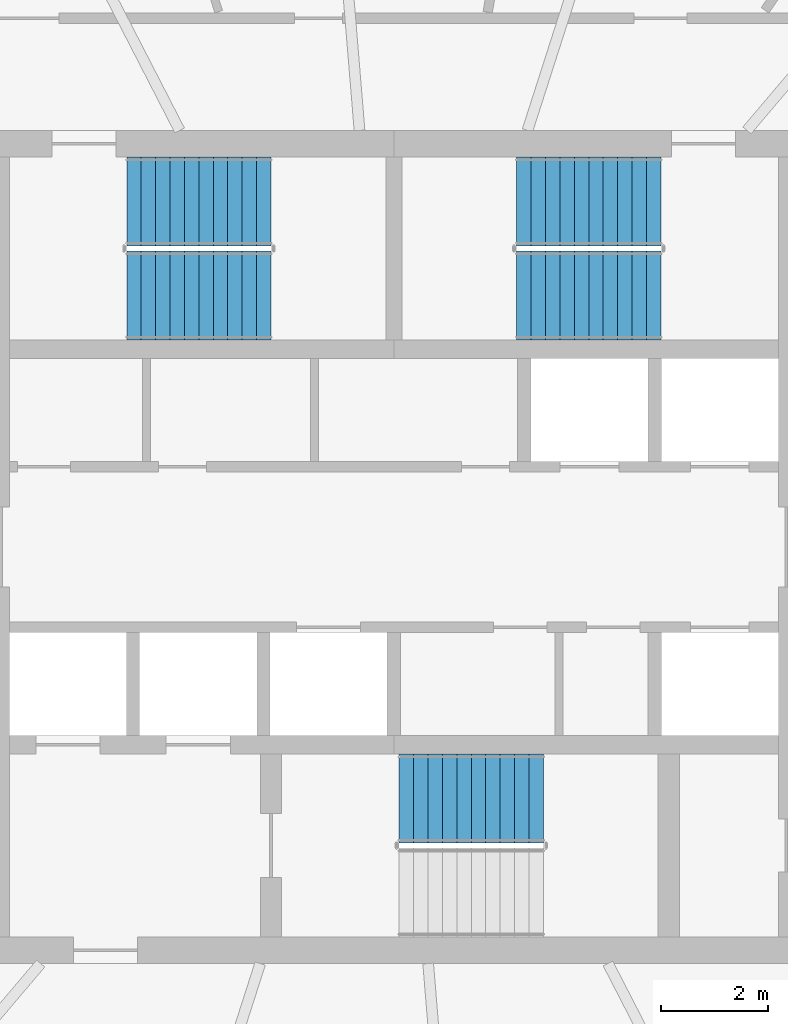
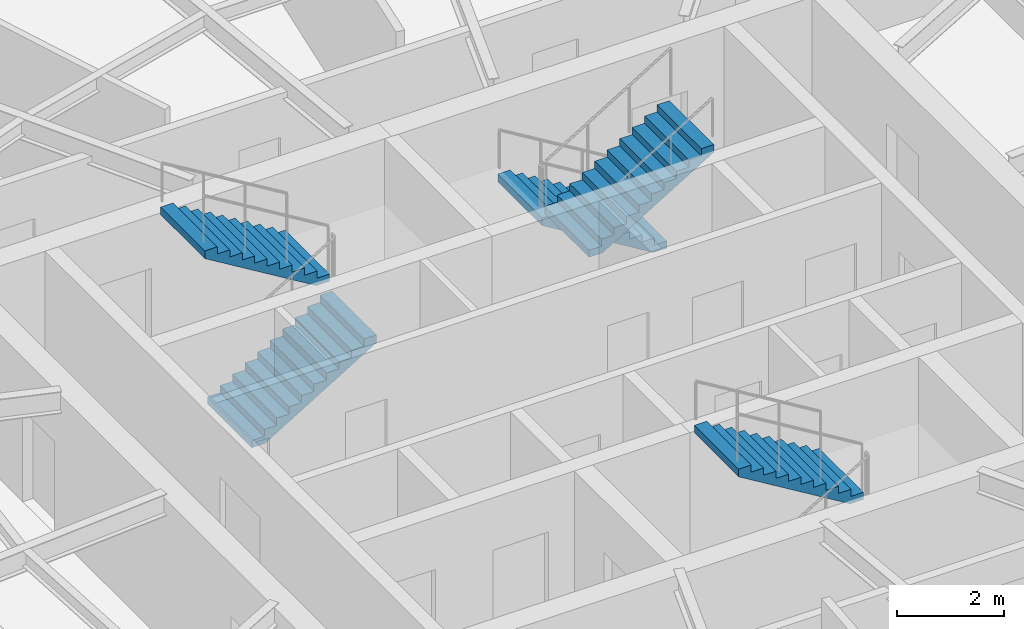
# One storey, part 10 of 13: 5 stair flights, 3 elements without a shape of their own.
"""IFC4 building model written with IfcOpenShell, lengths in metres."""

from ifc_helpers import new_model, si_unit, direction, frame, origin, place, context, subcontext, project, spatial, polyline, outline, extrude, material, type_object, element, aggregate, save


model = new_model("IFC4")

# Units and contexts
model_context = context("Model", 3, precision=1e-05, world=origin(), true_north=direction((0.0, 1.0)))
body_context = subcontext(model_context, "Body", "Model", "MODEL_VIEW")
ifc_project = project(units=[si_unit("LENGTHUNIT", "METRE"), si_unit("AREAUNIT", "SQUARE_METRE"), si_unit("VOLUMEUNIT", "CUBIC_METRE"), si_unit("PLANEANGLEUNIT", "RADIAN"), si_unit("MASSUNIT", "GRAM", prefix="KILO")], contexts=[model_context])

# Site, building, storey
site_placement = place(None, origin())
site = spatial("IfcSite", under=ifc_project, at=site_placement, CompositionType="ELEMENT")
building_placement = place(site_placement, origin())
building = spatial("IfcBuilding", under=site, at=building_placement, Name="Vermilion Reach Broadcast Tower", CompositionType="ELEMENT")
storey_placement = place(building_placement, frame((0.0, 0.0, 279.300048828125)))
storey = spatial("IfcBuildingStorey", under=building, at=storey_placement, Name="L69", CompositionType="ELEMENT", Elevation=279.300048828125)

# Stair, stair flights
ifc_material_1 = material(Name="Concrete C40", Category="concrete")
stair_type = type_object("IfcStairType", Name="Exit stair RC 22 risers 164 mm", PredefinedType="HALF_TURN_STAIR", material=ifc_material_1)
placement = place(storey_placement, origin())
stair_1 = element("IfcStair", 1, at=placement, inside=storey, type_object=stair_type, Name="L69 Exit stair ST1", PredefinedType="HALF_TURN_STAIR")
ifc_material_2 = material(Name="Concrete C40", Category="concrete")
stair_flight_type = type_object("IfcStairFlightType", Name="Exit stair flight RC 11 risers", PredefinedType="STRAIGHT", material=ifc_material_2)
stair_flight_1_placement = place(storey_placement, frame((-11.0, 4.7099609375, 0.0), z_axis=(0.0, 0.0, 1.0), x_axis=(1.0, 0.0, 0.0)))
stair_flight_1 = element("IfcStairFlight", 2, at=stair_flight_1_placement, type_object=stair_flight_type, Name="ST1 flight 1", NumberOfRisers=11, NumberOfTreads=10, PredefinedType="STRAIGHT", RiserHeight=0.163636364, TreadLength=0.27, context=body_context, shape_type="SweptSolid", body=[
    extrude(outline(polyline([(0.0, 0.0), (0.0, 0.16357421875), (0.27001953125, 0.16357421875), (0.27001953125, 0.327392578125), (0.5400390625, 0.327392578125), (0.5400390625, 0.490966796875), (0.81005859375, 0.490966796875), (0.81005859375, 0.654541015625), (1.080078125, 0.654541015625), (1.080078125, 0.818115234375), (1.35009765625, 0.818115234375), (1.35009765625, 0.98193359375), (1.6201171875, 0.98193359375), (1.6201171875, 1.1455078125), (1.889892578125, 1.1455078125), (1.889892578125, 1.30908203125), (2.159912109375, 1.30908203125), (2.159912109375, 1.47265625), (2.429931640625, 1.47265625), (2.429931640625, 1.636474609375), (2.699951171875, 1.636474609375), (2.699951171875, 1.800048828125), (2.699951171875, 1.461181640625), (0.289306640625, 0.0), (0.0, 0.0)])), frame((0.0, 0.830078125, 0.0), z_axis=(0.0, -1.0, 0.0), x_axis=(1.0, 0.0, 0.0)), (0.0, 0.0, 1.0), 1.659912109375),
])
stair_flight_2_placement = place(storey_placement, frame((-8.300048828125, 6.469970703125, 1.800048828125), z_axis=(0.0, 0.0, 1.0), x_axis=(-1.0, 0.0, 0.0)))
stair_flight_2 = element("IfcStairFlight", 3, at=stair_flight_2_placement, type_object=stair_flight_type, Name="ST1 flight 2", NumberOfRisers=11, NumberOfTreads=10, PredefinedType="STRAIGHT", RiserHeight=0.163636364, TreadLength=0.27, context=body_context, shape_type="SweptSolid", body=[
    extrude(outline(polyline([(0.0, 0.0), (0.0, 0.16357421875), (0.27001953125, 0.16357421875), (0.27001953125, 0.327392578125), (0.5400390625, 0.327392578125), (0.5400390625, 0.490966796875), (0.81005859375, 0.490966796875), (0.81005859375, 0.654541015625), (1.080078125, 0.654541015625), (1.080078125, 0.818115234375), (1.35009765625, 0.818115234375), (1.35009765625, 0.98193359375), (1.6201171875, 0.98193359375), (1.6201171875, 1.1455078125), (1.889892578125, 1.1455078125), (1.889892578125, 1.30908203125), (2.159912109375, 1.30908203125), (2.159912109375, 1.47265625), (2.429931640625, 1.47265625), (2.429931640625, 1.636474609375), (2.699951171875, 1.636474609375), (2.699951171875, 1.800048828125), (2.699951171875, 1.461181640625), (0.289306640625, 0.0), (0.0, 0.0)])), frame((0.0, 0.830078125, 0.0), z_axis=(0.0, -1.0, 0.0), x_axis=(1.0, 0.0, 0.0)), (0.0, 0.0, 1.0), 1.659912109375),
])
aggregate(stair_1, [stair_flight_1, stair_flight_2])

stair_2 = element("IfcStair", 4, at=placement, inside=storey, type_object=stair_type, Name="L69 Exit stair ST2", PredefinedType="HALF_TURN_STAIR")
stair_flight_3_placement = place(storey_placement, frame((-1.0, 6.469970703125, 0.0), z_axis=(0.0, 0.0, 1.0), x_axis=(-1.0, 0.0, 0.0)))
stair_flight_3 = element("IfcStairFlight", 5, at=stair_flight_3_placement, type_object=stair_flight_type, Name="ST2 flight 1", NumberOfRisers=11, NumberOfTreads=10, PredefinedType="STRAIGHT", RiserHeight=0.163636364, TreadLength=0.27, context=body_context, shape_type="SweptSolid", body=[
    extrude(outline(polyline([(0.0, 0.0), (0.0, 0.16357421875), (0.27001953125, 0.16357421875), (0.27001953125, 0.327392578125), (0.5400390625, 0.327392578125), (0.5400390625, 0.490966796875), (0.81005859375, 0.490966796875), (0.81005859375, 0.654541015625), (1.080078125, 0.654541015625), (1.080078125, 0.818115234375), (1.35009765625, 0.818115234375), (1.35009765625, 0.98193359375), (1.6201171875, 0.98193359375), (1.6201171875, 1.1455078125), (1.889892578125, 1.1455078125), (1.889892578125, 1.30908203125), (2.159912109375, 1.30908203125), (2.159912109375, 1.47265625), (2.429931640625, 1.47265625), (2.429931640625, 1.636474609375), (2.699951171875, 1.636474609375), (2.699951171875, 1.800048828125), (2.699951171875, 1.461181640625), (0.289306640625, 0.0), (0.0, 0.0)])), frame((0.0, 0.830078125, 0.0), z_axis=(0.0, -1.0, 0.0), x_axis=(1.0, 0.0, 0.0)), (0.0, 0.0, 1.0), 1.659912109375),
])
stair_flight_4_placement = place(storey_placement, frame((-3.699951171875, 4.7099609375, 1.800048828125), z_axis=(0.0, 0.0, 1.0), x_axis=(1.0, 0.0, 0.0)))
stair_flight_4 = element("IfcStairFlight", 6, at=stair_flight_4_placement, type_object=stair_flight_type, Name="ST2 flight 2", NumberOfRisers=11, NumberOfTreads=10, PredefinedType="STRAIGHT", RiserHeight=0.163636364, TreadLength=0.27, context=body_context, shape_type="SweptSolid", body=[
    extrude(outline(polyline([(0.0, 0.0), (0.0, 0.16357421875), (0.27001953125, 0.16357421875), (0.27001953125, 0.327392578125), (0.5400390625, 0.327392578125), (0.5400390625, 0.490966796875), (0.81005859375, 0.490966796875), (0.81005859375, 0.654541015625), (1.080078125, 0.654541015625), (1.080078125, 0.818115234375), (1.35009765625, 0.818115234375), (1.35009765625, 0.98193359375), (1.6201171875, 0.98193359375), (1.6201171875, 1.1455078125), (1.889892578125, 1.1455078125), (1.889892578125, 1.30908203125), (2.159912109375, 1.30908203125), (2.159912109375, 1.47265625), (2.429931640625, 1.47265625), (2.429931640625, 1.636474609375), (2.699951171875, 1.636474609375), (2.699951171875, 1.800048828125), (2.699951171875, 1.461181640625), (0.289306640625, 0.0), (0.0, 0.0)])), frame((0.0, 0.830078125, 0.0), z_axis=(0.0, -1.0, 0.0), x_axis=(1.0, 0.0, 0.0)), (0.0, 0.0, 1.0), 1.659912109375),
])
aggregate(stair_2, [stair_flight_3, stair_flight_4])

# Stair, stair flight
stair_3 = element("IfcStair", 7, at=placement, inside=storey, type_object=stair_type, Name="L69 Exit stair ST3", PredefinedType="HALF_TURN_STAIR")
stair_flight_5_placement = place(storey_placement, frame((-3.199951171875, -4.7099609375, 1.800048828125), z_axis=(0.0, 0.0, 1.0), x_axis=(-1.0, 0.0, 0.0)))
stair_flight_5 = element("IfcStairFlight", 8, at=stair_flight_5_placement, type_object=stair_flight_type, Name="ST3 flight 2", NumberOfRisers=11, NumberOfTreads=10, PredefinedType="STRAIGHT", RiserHeight=0.163636364, TreadLength=0.27, context=body_context, shape_type="SweptSolid", body=[
    extrude(outline(polyline([(0.0, 0.0), (0.0, 0.16357421875), (0.27001953125, 0.16357421875), (0.27001953125, 0.327392578125), (0.5400390625, 0.327392578125), (0.5400390625, 0.490966796875), (0.81005859375, 0.490966796875), (0.81005859375, 0.654541015625), (1.080078125, 0.654541015625), (1.080078125, 0.818115234375), (1.35009765625, 0.818115234375), (1.35009765625, 0.98193359375), (1.6201171875, 0.98193359375), (1.6201171875, 1.1455078125), (1.889892578125, 1.1455078125), (1.889892578125, 1.30908203125), (2.159912109375, 1.30908203125), (2.159912109375, 1.47265625), (2.429931640625, 1.47265625), (2.429931640625, 1.636474609375), (2.699951171875, 1.636474609375), (2.699951171875, 1.800048828125), (2.699951171875, 1.461181640625), (0.289306640625, 0.0), (0.0, 0.0)])), frame((0.0, 0.830078125, 0.0), z_axis=(0.0, -1.0, 0.0), x_axis=(1.0, 0.0, 0.0)), (0.0, 0.0, 1.0), 1.659912109375),
])
aggregate(stair_3, [stair_flight_5])

save(model, "model.ifc")
